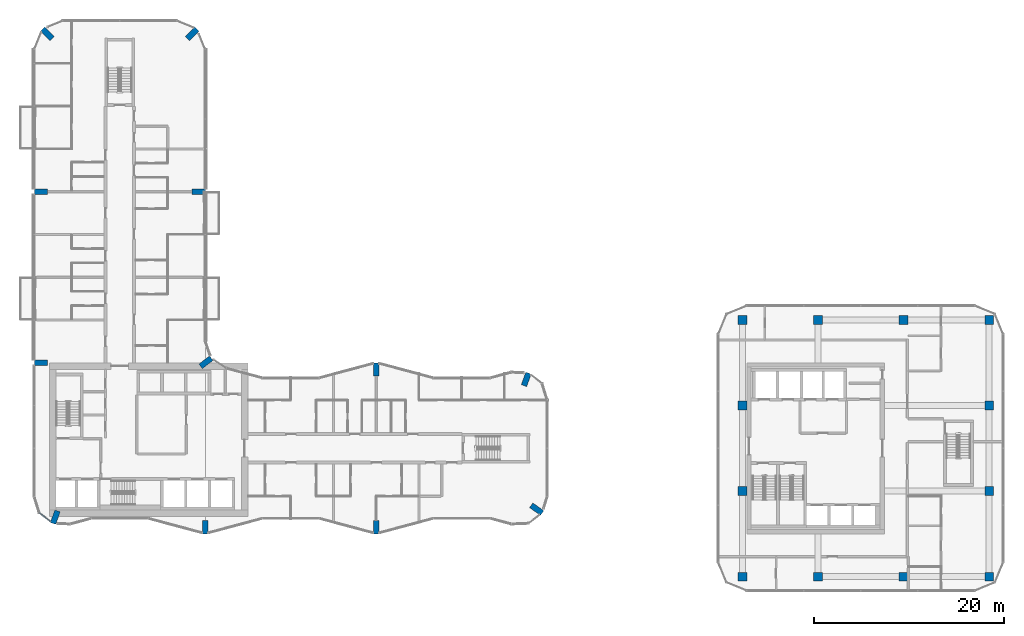
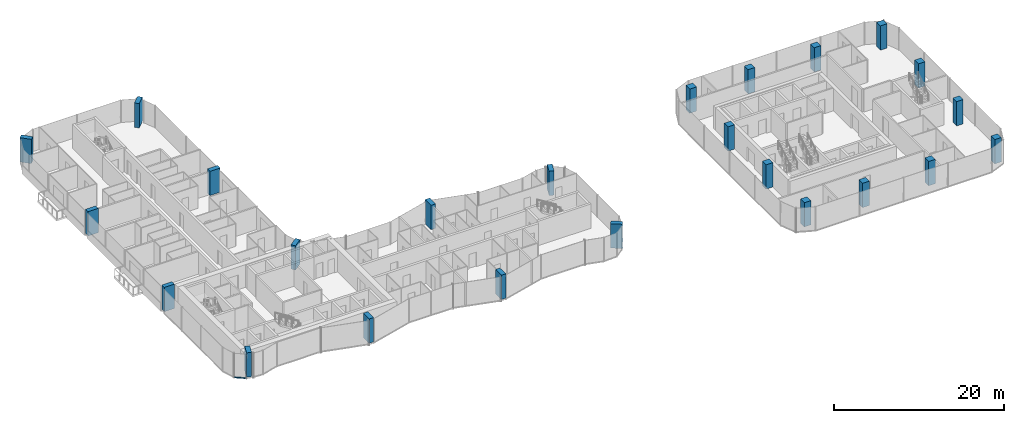
# One storey, part 1 of 23: 24 columns, 1 member, 1 element without a shape of its own.
"""IFC4 building model written with IfcOpenShell, lengths in metres."""

import ifcopenshell
import ifcopenshell.guid

model = None  # the IFC model being written
_history = None  # IfcOwnerHistory: only IFC2X3 demands one
_inside = {}  # id of a spatial element -> (the spatial element, [elements in it])
_under = {}  # id of a project, library or spatial element -> (it, [spatial elements below it])
_declared = {}  # id of a project -> (the project, [libraries it declares])
_typed = {}  # id of a type object -> (the type object, [elements of that type])
_made_of = {}  # id of a material, layer set ... -> (it, [elements and type objects made of it])


def new_model(schema):
    """Start an empty IFC model of exactly this schema.

    Asked for "IFC4X3", IfcOpenShell would pick the latest addendum, in which some entities
    have other attributes; the version numbers below select the first issue.
    IFC2X3 requires an IfcOwnerHistory on every rooted entity: one is made here for all.
    """
    global model, _history
    if schema == "IFC4X3":
        model = ifcopenshell.file(schema_version=(4, 3, 0, 0))
    else:
        model = ifcopenshell.file(schema=schema)
    _inside.clear()
    _under.clear()
    _declared.clear()
    _typed.clear()
    _made_of.clear()
    _history = None
    if model.schema == "IFC2X3":
        org = make("IfcOrganization", Name="unknown")
        user = make(
            "IfcPersonAndOrganization",
            ThePerson=make("IfcPerson", FamilyName="unknown"),
            TheOrganization=org,
        )
        app = make(
            "IfcApplication",
            ApplicationDeveloper=org,
            Version="unknown",
            ApplicationFullName="unknown",
            ApplicationIdentifier="unknown",
        )
        _history = make(
            "IfcOwnerHistory",
            OwningUser=user,
            OwningApplication=app,
            ChangeAction="ADDED",
            CreationDate=0,
        )
    return model


def make(cls, **values):
    """One entity of the class cls with the attributes given. An attribute that is None is left unset."""
    return model.create_entity(
        cls, **{name: value for name, value in values.items() if value is not None}
    )


def rooted(cls, **values):
    """An entity with a GlobalId (a new one), such as an element, a storey or a relation."""
    return make(cls, GlobalId=ifcopenshell.guid.new(), OwnerHistory=_history, **values)


def si_unit(unit_type, name, prefix=None):
    """IfcSIUnit, for example si_unit("LENGTHUNIT", "METRE", prefix="MILLI")."""
    return make("IfcSIUnit", UnitType=unit_type, Prefix=prefix, Name=name)


def assignment(units):
    """IfcUnitAssignment: the units of a project."""
    return None if units is None else make("IfcUnitAssignment", Units=units)


def point(xyz):
    """IfcCartesianPoint."""
    return None if xyz is None else make("IfcCartesianPoint", Coordinates=xyz)


def direction(xyz):
    """IfcDirection."""
    return None if xyz is None else make("IfcDirection", DirectionRatios=xyz)


def frame(location, z_axis=None, x_axis=None):
    """IfcAxis2Placement3D, a coordinate frame: its origin and axes. An axis left out is left unset."""
    return make(
        "IfcAxis2Placement3D",
        Location=point(location),
        Axis=direction(z_axis),
        RefDirection=direction(x_axis),
    )


def frame_2d(location, x_axis=None):
    """IfcAxis2Placement2D, a coordinate frame in the plane: its origin and x axis."""
    return make(
        "IfcAxis2Placement2D", Location=point(location), RefDirection=direction(x_axis)
    )


def origin():
    """The frame at (0, 0, 0) with its axes left unset."""
    return frame((0.0, 0.0, 0.0))


def origin_2d():
    """The frame at (0, 0) in the plane with its x axis left unset."""
    return frame_2d((0.0, 0.0))


def place(relative_to, where):
    """IfcLocalPlacement: puts the frame where relative to a parent placement (None: the world)."""
    return make(
        "IfcLocalPlacement", PlacementRelTo=relative_to, RelativePlacement=where
    )


def context(
    kind, dimensions, precision=None, world=None, true_north=None, identifier=None
):
    """IfcGeometricRepresentationContext, for example the 3D "Model" context."""
    return make(
        "IfcGeometricRepresentationContext",
        ContextIdentifier=identifier,
        ContextType=kind,
        CoordinateSpaceDimension=dimensions,
        Precision=precision,
        WorldCoordinateSystem=world,
        TrueNorth=true_north,
    )


def subcontext(parent, identifier, kind, view, scale=None):
    """IfcGeometricRepresentationSubContext, for example "Body" below "Model"."""
    return make(
        "IfcGeometricRepresentationSubContext",
        ContextIdentifier=identifier,
        ContextType=kind,
        ParentContext=parent,
        TargetScale=scale,
        TargetView=view,
    )


def project(units=None, contexts=None):
    """IfcProject with its units and contexts."""
    return rooted(
        "IfcProject",
        Name="project",
        RepresentationContexts=contexts,
        UnitsInContext=assignment(units),
    )


def spatial(cls, under=None, at=None, **own):
    """A site, building, storey or space (cls), placed at a placement, below another one or the project."""
    s = rooted(cls, ObjectPlacement=at, **own)
    if under is not None:
        _under.setdefault(under.id(), (under, []))[1].append(s)
    return s


def profile(cls, at=None, kind="AREA", **sizes):
    """A parametric profile (cls). Its sizes go by their IFC names, for example OverallWidth=200.0."""
    return make(cls, ProfileType=kind, Position=at, **sizes)


def rectangle(**sizes):
    """IfcRectangleProfileDef."""
    return profile("IfcRectangleProfileDef", **sizes)


def extrude(swept, where, along, depth):
    """IfcExtrudedAreaSolid: the profile swept, set in the frame where, extruded along a direction by depth."""
    return make(
        "IfcExtrudedAreaSolid",
        SweptArea=swept,
        Position=where,
        ExtrudedDirection=direction(along),
        Depth=depth,
    )


def shape(context_of_items, identifier, shape_type, items):
    """IfcShapeRepresentation: the items that make up one representation, for example the "Body"."""
    return make(
        "IfcShapeRepresentation",
        ContextOfItems=context_of_items,
        RepresentationIdentifier=identifier,
        RepresentationType=shape_type,
        Items=items,
    )


def material(Name=None, Category=None):
    """IfcMaterial."""
    return make("IfcMaterial", Name=Name, Category=Category)


def layer(
    of_material, thickness, ventilated=None, Name=None, Category=None, Priority=None
):
    """IfcMaterialLayer: one layer of a wall or slab, of a material (None: an air gap)."""
    return make(
        "IfcMaterialLayer",
        Material=of_material,
        LayerThickness=thickness,
        IsVentilated=ventilated,
        Name=Name,
        Category=Category,
        Priority=Priority,
    )


def layer_set(layers, Name=None):
    """IfcMaterialLayerSet."""
    return make("IfcMaterialLayerSet", MaterialLayers=layers, LayerSetName=Name)


def material_profile(
    of_material, cross_section, Name=None, Category=None, Priority=None
):
    """IfcMaterialProfile: a cross section and its material."""
    return make(
        "IfcMaterialProfile",
        Name=Name,
        Material=of_material,
        Profile=cross_section,
        Priority=Priority,
        Category=Category,
    )


def profile_set(profiles, Name=None, composite=None):
    """IfcMaterialProfileSet."""
    return make(
        "IfcMaterialProfileSet",
        Name=Name,
        MaterialProfiles=profiles,
        CompositeProfile=composite,
    )


def made_of(thing, what):
    """Note that an element or type object is made of a material, layer set ...; save() writes the relation."""
    if what is not None:
        _made_of.setdefault(what.id(), (what, []))[1].append(thing)
    return thing


def type_object(cls, material=None, **own):
    """A type object (cls), such as IfcWallType, which elements share."""
    return made_of(rooted(cls, **own), material)


def element(
    cls,
    number,
    at=None,
    inside=None,
    cuts=None,
    type_object=None,
    material=None,
    context=None,
    identifier="Body",
    shape_type=None,
    held_by="IfcProductDefinitionShape",
    body=None,
    shapes=None,
    **own,
):
    """One element of the class cls, such as IfcWall. Its Tag is "e" and its number.

    at: its placement. inside: the storey or other place that contains it. cuts: it is an
    opening in that element (IfcRelVoidsElement). A single representation is given by context,
    identifier, shape_type and body (its items); several are given by shapes. held_by: the class
    of the entity that holds the representations. save() writes the other relations.
    """
    e = rooted(cls, Tag="e%d" % number, ObjectPlacement=at, **own)
    if body is not None:
        shapes = [shape(context, identifier, shape_type, body)]
    if shapes is not None:
        e.Representation = make(held_by, Representations=shapes)
    if inside is not None:
        _inside.setdefault(inside.id(), (inside, []))[1].append(e)
    if cuts is not None:
        rooted(
            "IfcRelVoidsElement", RelatingBuildingElement=cuts, RelatedOpeningElement=e
        )
    if type_object is not None:
        _typed.setdefault(type_object.id(), (type_object, []))[1].append(e)
    return made_of(e, material)


def aggregate(whole, parts):
    """IfcRelAggregates: a whole, such as a stair, and the parts it consists of."""
    return rooted("IfcRelAggregates", RelatingObject=whole, RelatedObjects=parts)


def save(model, path):
    """Write the relations noted so far, then the file.

    IfcRelAggregates (storeys below a building ...), IfcRelContainedInSpatialStructure (elements
    in a storey), IfcRelDefinesByType, IfcRelAssociatesMaterial and IfcRelDeclares: one each for
    every whole, place, type object, material and project.
    """
    for whole, parts in _under.values():
        aggregate(whole, parts)
    for where, things in _inside.values():
        rooted(
            "IfcRelContainedInSpatialStructure",
            RelatedElements=things,
            RelatingStructure=where,
        )
    for kind, things in _typed.values():
        rooted("IfcRelDefinesByType", RelatedObjects=things, RelatingType=kind)
    for what, things in _made_of.values():
        rooted("IfcRelAssociatesMaterial", RelatedObjects=things, RelatingMaterial=what)
    for by, libraries in _declared.values():
        rooted("IfcRelDeclares", RelatingContext=by, RelatedDefinitions=libraries)
    model.write(path)


model = new_model("IFC4")

# Units and contexts
model_context = context("Model", 3, precision=1e-05, world=origin(), true_north=direction((0.0, 1.0)))
body_context = subcontext(model_context, "Body", "Model", "MODEL_VIEW")
ifc_project = project(units=[si_unit("LENGTHUNIT", "METRE"), si_unit("AREAUNIT", "SQUARE_METRE"), si_unit("VOLUMEUNIT", "CUBIC_METRE"), si_unit("PLANEANGLEUNIT", "RADIAN"), si_unit("MASSUNIT", "GRAM", prefix="KILO")], contexts=[model_context])

# Site, building, storey
site_placement = place(None, origin())
site = spatial("IfcSite", under=ifc_project, at=site_placement, CompositionType="ELEMENT")
building_placement = place(site_placement, origin())
building = spatial("IfcBuilding", under=site, at=building_placement, Name="Plateau Cross Towers", CompositionType="ELEMENT")
storey_placement = place(building_placement, frame((0.0, 0.0, 85.300048828125)))
storey = spatial("IfcBuildingStorey", under=building, at=storey_placement, Name="L21", CompositionType="ELEMENT", Elevation=85.300048828125)

# Columns
ifc_material_1 = material(Name="Concrete C60/75", Category="concrete")
ifc_material_profile_1 = material_profile(ifc_material_1, rectangle(XDim=0.60009765625, YDim=1.39990234375, at=origin_2d()), Name="RC 600x1400")
ifc_profile_set_1 = profile_set([ifc_material_profile_1], Name="Concrete C60/75")
column_type_1 = type_object("IfcColumnType", Name="Fin pier column RC 600x1400", PredefinedType="COLUMN", material=ifc_profile_set_1)
for number, where, z_axis, x_axis, name in (
    (1, (18.0, 0.699951171875, 0.0), (0.0, 0.0, 1.0), (1.0, 0.0, 0.0), "PR1 L21"),
    (2, (36.0, 0.699951171875, 0.0), (0.0, 0.0, 1.0), (1.0, 0.0, 0.0), "PR2 L21"),
    (3, (52.884033203125, 2.590087890625, 0.0), (0.0, 0.0, 1.0), (0.573542637991, 0.819175709117, 0.0), "PR3 L21"),
    (4, (51.786865234375, 16.251953125, 0.0), (0.0, 0.0, 1.0), (-0.939664280925, 0.342097996418, 0.0), "PR4 L21"),
    (5, (36.0, 17.300048828125, 0.0), (0.0, 0.0, 1.0), (1.0, 0.0, 0.0), "PR5 L21"),
    (6, (18.064697265625, 18.049560546875, 0.0), (0.0, 0.0, 1.0), (-0.608810846443, 0.793315418515, 0.0), "PR6 L21"),
    (7, (17.300048828125, 36.0, 0.0), (0.0, 0.0, 1.0), (0.0, 1.0, 0.0), "PR7 L21"),
    (8, (16.62646484375, 52.62646484375, 0.0), (0.0, 0.0, 1.0), (-0.707106781187, 0.707106781187, 0.0), "PR8 L21"),
    (9, (1.37353515625, 52.62646484375, 0.0), (0.0, 0.0, 1.0), (0.707106781187, 0.707106781187, 0.0), "PR9 L21"),
    (10, (0.699951171875, 36.0, 0.0), (0.0, 0.0, 1.0), (0.0, 1.0, 0.0), "PR10 L21"),
    (11, (0.699951171875, 18.0, 0.0), (0.0, 0.0, 1.0), (0.0, 1.0, 0.0), "PR11 L21"),
    (12, (2.213134765625, 1.748046875, 0.0), (0.0, 0.0, 1.0), (-0.939664280925, 0.342097996418, 0.0), "PR12 L21"),
):
    element("IfcColumn", number, at=place(storey_placement, frame(where, z_axis=z_axis, x_axis=x_axis)), inside=storey, type_object=column_type_1, Name=name, PredefinedType="COLUMN", context=body_context, shape_type="SweptSolid", body=[
        extrude(rectangle(XDim=0.60009765625, YDim=1.39990234375, at=origin_2d()), origin(), (0.0, 0.0, 1.0), 3.5),
    ])
ifc_material_profile_2 = material_profile(ifc_material_1, rectangle(XDim=0.89990234375, YDim=0.89990234375, at=origin_2d()), Name="RC 900x900")
ifc_profile_set_2 = profile_set([ifc_material_profile_2], Name="Concrete C60/75")
column_type_2 = type_object("IfcColumnType", Name="Office column RC 900x900", PredefinedType="COLUMN", material=ifc_profile_set_2)
for number, where, z_axis, x_axis, name in (
    (13, (74.550048828125, -4.5, 0.0), (0.0, 0.0, 1.0), (1.0, 0.0, 0.0), "B-C746_-45 L21"),
    (14, (82.5, -4.5, 0.0), (0.0, 0.0, 1.0), (1.0, 0.0, 0.0), "B-C825_-45 L21"),
    (15, (91.5, -4.5, 0.0), (0.0, 0.0, 1.0), (1.0, 0.0, 0.0), "B-C915_-45 L21"),
    (16, (100.5, -4.5, 0.0), (0.0, 0.0, 1.0), (1.0, 0.0, 0.0), "B-C1005_-45 L21"),
    (17, (100.5, 4.5, 0.0), (0.0, 0.0, 1.0), (1.0, 0.0, 0.0), "B-C1005_45 L21"),
    (18, (100.5, 13.5, 0.0), (0.0, 0.0, 1.0), (1.0, 0.0, 0.0), "B-C1005_135 L21"),
    (19, (100.5, 22.5, 0.0), (0.0, 0.0, 1.0), (1.0, 0.0, 0.0), "B-C1005_225 L21"),
    (20, (91.5, 22.5, 0.0), (0.0, 0.0, 1.0), (1.0, 0.0, 0.0), "B-C915_225 L21"),
    (21, (82.5, 22.5, 0.0), (0.0, 0.0, 1.0), (1.0, 0.0, 0.0), "B-C825_225 L21"),
    (22, (74.550048828125, 22.5, 0.0), (0.0, 0.0, 1.0), (1.0, 0.0, 0.0), "B-C746_225 L21"),
    (23, (74.550048828125, 13.5, 0.0), (0.0, 0.0, 1.0), (1.0, 0.0, 0.0), "B-C746_135 L21"),
    (24, (74.550048828125, 4.5, 0.0), (0.0, 0.0, 1.0), (1.0, 0.0, 0.0), "B-C746_45 L21"),
):
    element("IfcColumn", number, at=place(storey_placement, frame(where, z_axis=z_axis, x_axis=x_axis)), inside=storey, type_object=column_type_2, Name=name, PredefinedType="COLUMN", context=body_context, shape_type="SweptSolid", body=[
        extrude(rectangle(XDim=0.89990234375, YDim=0.89990234375, at=origin_2d()), origin(), (0.0, 0.0, 1.0), 3.5),
    ])

# Curtain wall, member
ifc_material_2 = material(Name="Dark low-iron glass", Category="glass")
ifc_layer = layer(ifc_material_2, 0.239990234375)
ifc_layer_set = layer_set([ifc_layer], Name="Dark low-iron glass")
curtain_wall_type = type_object("IfcCurtainWallType", Name="Curtain wall flush unitised CW-B", PredefinedType="NOTDEFINED", material=ifc_layer_set)
curtain_wall_placement = place(storey_placement, origin())
curtain_wall = element("IfcCurtainWall", 25, at=curtain_wall_placement, inside=storey, type_object=curtain_wall_type, Name="ENV/A/L21/A5_22", PredefinedType="NOTDEFINED")
ifc_material_3 = material(Name="Black anodised aluminium", Category="aluminium")
ifc_material_profile_3 = material_profile(ifc_material_3, rectangle(XDim=0.10009765625, YDim=0.1201171875, at=origin_2d()), Name="TRANSOM 100x120")
ifc_profile_set_3 = profile_set([ifc_material_profile_3], Name="Black anodised aluminium")
member_type = type_object("IfcMemberType", Name="Transom 100x120 flush unitised", PredefinedType="USERDEFINED", material=ifc_profile_set_3)
member_placement = place(storey_placement, frame((0.54248046875, 2.1884765625, -0.18994140625), z_axis=(0.793320508571, -0.608804213751, 0.0), x_axis=(0.608804213751, 0.793320508571, 0.0)))
member = element("IfcMember", 26, at=member_placement, type_object=member_type, Name="CW-B transom", ObjectType="TRANSOM", PredefinedType="USERDEFINED", context=body_context, shape_type="SweptSolid", body=[
    extrude(rectangle(XDim=0.10009765625, YDim=0.1201171875, at=origin_2d()), origin(), (0.0, 0.0, 1.0), 1.471435546875),
])
aggregate(curtain_wall, [member])

save(model, "model.ifc")
